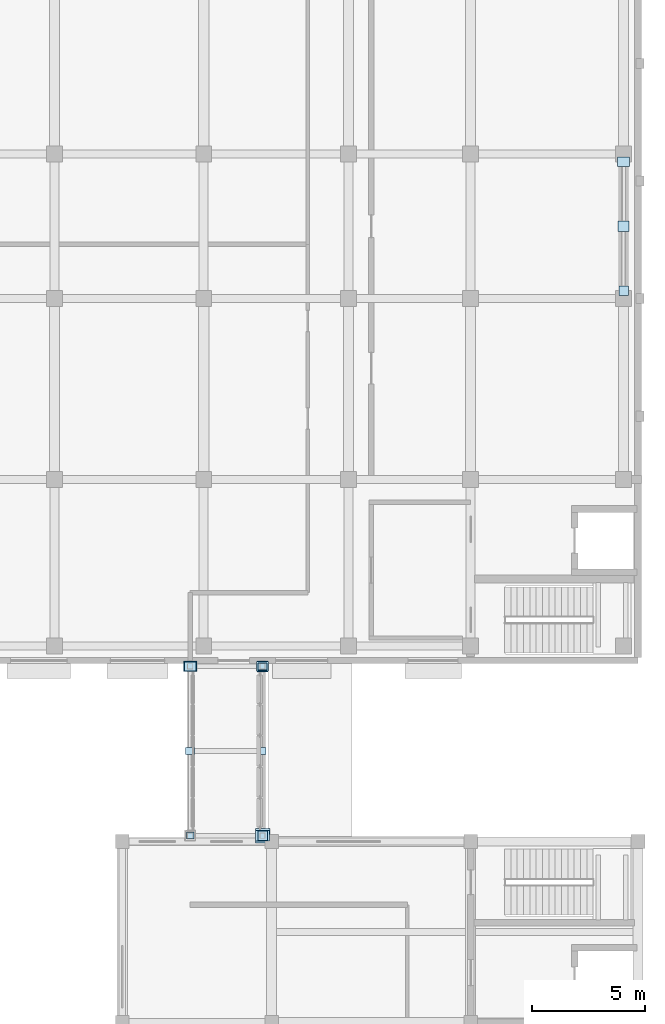
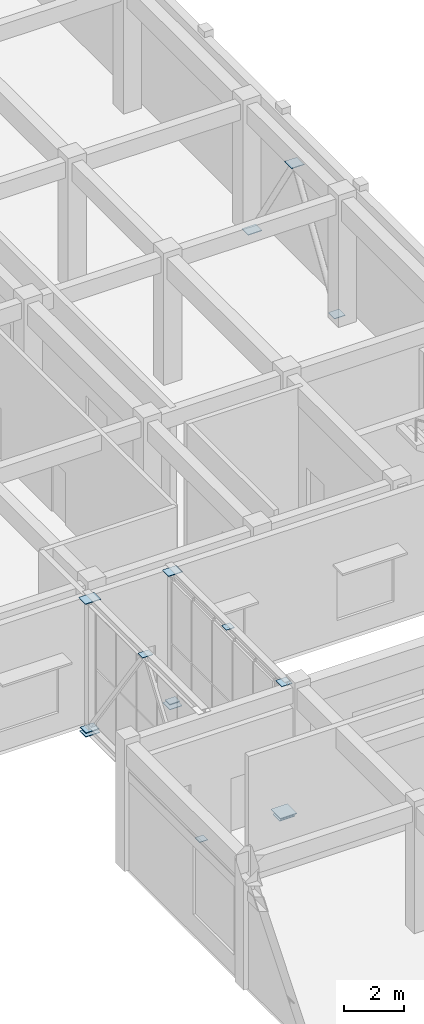
# One storey, part 37 of 64: 15 plates.
"""IFC4 building model written with IfcOpenShell, lengths in metres."""

from ifc_helpers import new_model, si_unit, direction, frame, origin, origin_2d, place, context, subcontext, project, spatial, rectangle, extrude, material, layer, layer_set, type_object, element, save


model = new_model("IFC4")

# Units and contexts
model_context = context("Model", 3, precision=1e-05, world=origin(), true_north=direction((0.0, 1.0)))
body_context = subcontext(model_context, "Body", "Model", "MODEL_VIEW")
ifc_project = project(units=[si_unit("LENGTHUNIT", "METRE"), si_unit("AREAUNIT", "SQUARE_METRE"), si_unit("VOLUMEUNIT", "CUBIC_METRE"), si_unit("PLANEANGLEUNIT", "RADIAN"), si_unit("MASSUNIT", "GRAM", prefix="KILO")], contexts=[model_context])

# Site, building, storey
site_placement = place(None, origin())
site = spatial("IfcSite", under=ifc_project, at=site_placement, CompositionType="ELEMENT")
building_placement = place(site_placement, origin())
building = spatial("IfcBuilding", under=site, at=building_placement, Name="Cinchona Park Media Centre", CompositionType="ELEMENT")
storey_placement = place(building_placement, frame((0.0, 0.0, 10.199951171875)))
storey = spatial("IfcBuildingStorey", under=building, at=storey_placement, Name="L02", CompositionType="ELEMENT", Elevation=10.199951171875)

# Plates
ifc_material_1 = material(Name="Steel S355", Category="steel")
ifc_layer_1 = layer(ifc_material_1, 0.02001953125)
ifc_layer_set_1 = layer_set([ifc_layer_1], Name="Steel S355")
plate_type_1 = type_object("IfcPlateType", Name="PLATE-GP01", PredefinedType="USERDEFINED", material=ifc_layer_set_1)
for number, where, z_axis, x_axis, name in (
    (1, (155.39990234375, 63.860107421875, 5.14013671875), (0.0, 0.0, 1.0), (1.0, 0.0, 0.0), "Truss Node Gusset Plate TN3"),
    (2, (171.360107421875, 87.955078125, -0.0048828125), (0.0, 0.0, 1.0), (1.0, 0.0, 0.0), "Truss Node Gusset Plate TN2"),
):
    element("IfcPlate", number, at=place(storey_placement, frame(where, z_axis=z_axis, x_axis=x_axis)), inside=storey, type_object=plate_type_1, Name=name, ObjectType="GUSSET PLATE", PredefinedType="USERDEFINED", context=body_context, shape_type="SweptSolid", body=[
        extrude(rectangle(XDim=0.419921875, YDim=0.419921875, at=origin_2d()), origin(), (0.0, 0.0, 1.0), 0.02001953125),
    ])
ifc_material_2 = material(Name="Steel S355", Category="steel")
ifc_layer_2 = layer(ifc_material_2, 0.02197265625)
ifc_layer_set_2 = layer_set([ifc_layer_2], Name="Steel S355")
plate_type_2 = type_object("IfcPlateType", Name="PLATE-GP02", PredefinedType="USERDEFINED", material=ifc_layer_set_2)
for number, where, z_axis, x_axis, name in (
    (3, (155.39990234375, 71.340087890625, -0.31103515625), (0.0, 0.0, 1.0), (1.0, 0.0, 0.0), "Truss Node Gusset Plate TN3"),
    (4, (171.360107421875, 90.800048828125, 4.448974609375), (0.0, 0.0, 1.0), (1.0, 0.0, 0.0), "Truss Node Gusset Plate TN2"),
):
    element("IfcPlate", number, at=place(storey_placement, frame(where, z_axis=z_axis, x_axis=x_axis)), inside=storey, type_object=plate_type_2, Name=name, ObjectType="GUSSET PLATE", PredefinedType="USERDEFINED", context=body_context, shape_type="SweptSolid", body=[
        extrude(rectangle(XDim=0.47998046875, YDim=0.47998046875, at=origin_2d()), origin(), (0.0, 0.0, 1.0), 0.02197265625),
    ])
ifc_material_3 = material(Name="Steel S355", Category="steel")
ifc_layer_3 = layer(ifc_material_3, 0.02392578125)
ifc_layer_set_3 = layer_set([ifc_layer_3], Name="Steel S355")
plate_type_3 = type_object("IfcPlateType", Name="PLATE-GP03", PredefinedType="USERDEFINED", material=ifc_layer_set_3)
for number, where, z_axis, x_axis, name in (
    (5, (152.199951171875, 71.340087890625, -0.31201171875), (0.0, 0.0, 1.0), (1.0, 0.0, 0.0), "Truss Node Gusset Plate TN3"),
    (6, (155.39990234375, 71.340087890625, 5.13818359375), (0.0, 0.0, 1.0), (1.0, 0.0, 0.0), "Truss Node Gusset Plate TN3"),
    (7, (171.360107421875, 93.64501953125, -0.0068359375), (0.0, 0.0, 1.0), (1.0, 0.0, 0.0), "Truss Node Gusset Plate TN2"),
):
    element("IfcPlate", number, at=place(storey_placement, frame(where, z_axis=z_axis, x_axis=x_axis)), inside=storey, type_object=plate_type_3, Name=name, ObjectType="GUSSET PLATE", PredefinedType="USERDEFINED", context=body_context, shape_type="SweptSolid", body=[
        extrude(rectangle(XDim=0.5400390625, YDim=0.419921875, at=origin_2d()), origin(), (0.0, 0.0, 1.0), 0.02392578125),
    ])
ifc_material_4 = material(Name="Steel S355", Category="steel")
ifc_layer_4 = layer(ifc_material_4, 0.02587890625)
ifc_layer_set_4 = layer_set([ifc_layer_4], Name="Steel S355")
plate_type_4 = type_object("IfcPlateType", Name="PLATE-GP04", PredefinedType="USERDEFINED", material=ifc_layer_set_4)
for number, where, z_axis, x_axis, name in (
    (8, (152.199951171875, 71.340087890625, 5.13720703125), (0.0, 0.0, 1.0), (1.0, 0.0, 0.0), "Truss Node Gusset Plate TN3"),
    (9, (155.39990234375, 63.860107421875, -0.31298828125), (0.0, 0.0, 1.0), (1.0, 0.0, 0.0), "Truss Node Gusset Plate TN3"),
):
    element("IfcPlate", number, at=place(storey_placement, frame(where, z_axis=z_axis, x_axis=x_axis)), inside=storey, type_object=plate_type_4, Name=name, ObjectType="GUSSET PLATE", PredefinedType="USERDEFINED", context=body_context, shape_type="SweptSolid", body=[
        extrude(rectangle(XDim=0.60009765625, YDim=0.4599609375, at=origin_2d()), origin(), (0.0, 0.0, 1.0), 0.02587890625),
    ])
ifc_material_5 = material(Name="Steel S355", Category="steel")
ifc_layer_5 = layer(ifc_material_5, 0.01806640625)
ifc_layer_set_5 = layer_set([ifc_layer_5], Name="Steel S355")
plate_type_5 = type_object("IfcPlateType", Name="PLATE-PL01", PredefinedType="SHEET", material=ifc_layer_set_5)
for number, where, z_axis, x_axis, name in (
    (10, (152.199951171875, 63.860107421875, -0.158935546875), (0.0, 0.0, 1.0), (1.0, 0.0, 0.0), "Hollow Member End Cap Plate PL01"),
    (11, (155.39990234375, 67.60009765625, 5.14111328125), (0.0, 0.0, 1.0), (1.0, 0.0, 0.0), "Hollow Member End Cap Plate PL01"),
):
    element("IfcPlate", number, at=place(storey_placement, frame(where, z_axis=z_axis, x_axis=x_axis)), inside=storey, type_object=plate_type_5, Name=name, PredefinedType="SHEET", context=body_context, shape_type="SweptSolid", body=[
        extrude(rectangle(XDim=0.320068359375, YDim=0.320068359375, at=origin_2d()), origin(), (0.0, 0.0, 1.0), 0.01806640625),
    ])
ifc_material_6 = material(Name="Steel S355", Category="steel")
ifc_layer_6 = layer(ifc_material_6, 0.02001953125)
ifc_layer_set_6 = layer_set([ifc_layer_6], Name="Steel S355")
plate_type_6 = type_object("IfcPlateType", Name="PLATE-PL02", PredefinedType="SHEET", material=ifc_layer_set_6)
for number, where, z_axis, x_axis, name in (
    (12, (152.199951171875, 67.60009765625, 5.14013671875), (0.0, 0.0, 1.0), (1.0, 0.0, 0.0), "Hollow Member End Cap Plate PL02"),
    (13, (155.39990234375, 71.340087890625, -0.159912109375), (0.0, 0.0, 1.0), (1.0, 0.0, 0.0), "Hollow Member End Cap Plate PL02"),
):
    element("IfcPlate", number, at=place(storey_placement, frame(where, z_axis=z_axis, x_axis=x_axis)), inside=storey, type_object=plate_type_6, Name=name, PredefinedType="SHEET", context=body_context, shape_type="SweptSolid", body=[
        extrude(rectangle(XDim=0.39990234375, YDim=0.320068359375, at=origin_2d()), origin(), (0.0, 0.0, 1.0), 0.02001953125),
    ])
ifc_material_7 = material(Name="Steel S355", Category="steel")
ifc_layer_7 = layer(ifc_material_7, 0.02392578125)
ifc_layer_set_7 = layer_set([ifc_layer_7], Name="Steel S355")
plate_type_7 = type_object("IfcPlateType", Name="PLATE-PL03", PredefinedType="SHEET", material=ifc_layer_set_7)
plate_1_placement = place(storey_placement, frame((152.199951171875, 71.340087890625, -0.161865234375), z_axis=(0.0, 0.0, 1.0), x_axis=(1.0, 0.0, 0.0)))
element("IfcPlate", 14, at=plate_1_placement, inside=storey, type_object=plate_type_7, Name="Hollow Member End Cap Plate PL03", PredefinedType="SHEET", context=body_context, shape_type="SweptSolid", body=[
    extrude(rectangle(XDim=0.52001953125, YDim=0.39990234375, at=origin_2d()), origin(), (0.0, 0.0, 1.0), 0.02392578125),
])
ifc_material_8 = material(Name="Steel S355", Category="steel")
ifc_layer_8 = layer(ifc_material_8, 0.030029296875)
ifc_layer_set_8 = layer_set([ifc_layer_8], Name="Steel S355")
plate_type_8 = type_object("IfcPlateType", Name="PLATE-PL04", PredefinedType="SHEET", material=ifc_layer_set_8)
plate_2_placement = place(storey_placement, frame((155.39990234375, 63.860107421875, -0.1650390625), z_axis=(0.0, 0.0, 1.0), x_axis=(1.0, 0.0, 0.0)))
element("IfcPlate", 15, at=plate_2_placement, inside=storey, type_object=plate_type_8, Name="Hollow Member End Cap Plate PL04", PredefinedType="SHEET", context=body_context, shape_type="SweptSolid", body=[
    extrude(rectangle(XDim=0.639892578125, YDim=0.639892578125, at=origin_2d()), origin(), (0.0, 0.0, 1.0), 0.030029296875),
])

save(model, "model.ifc")
